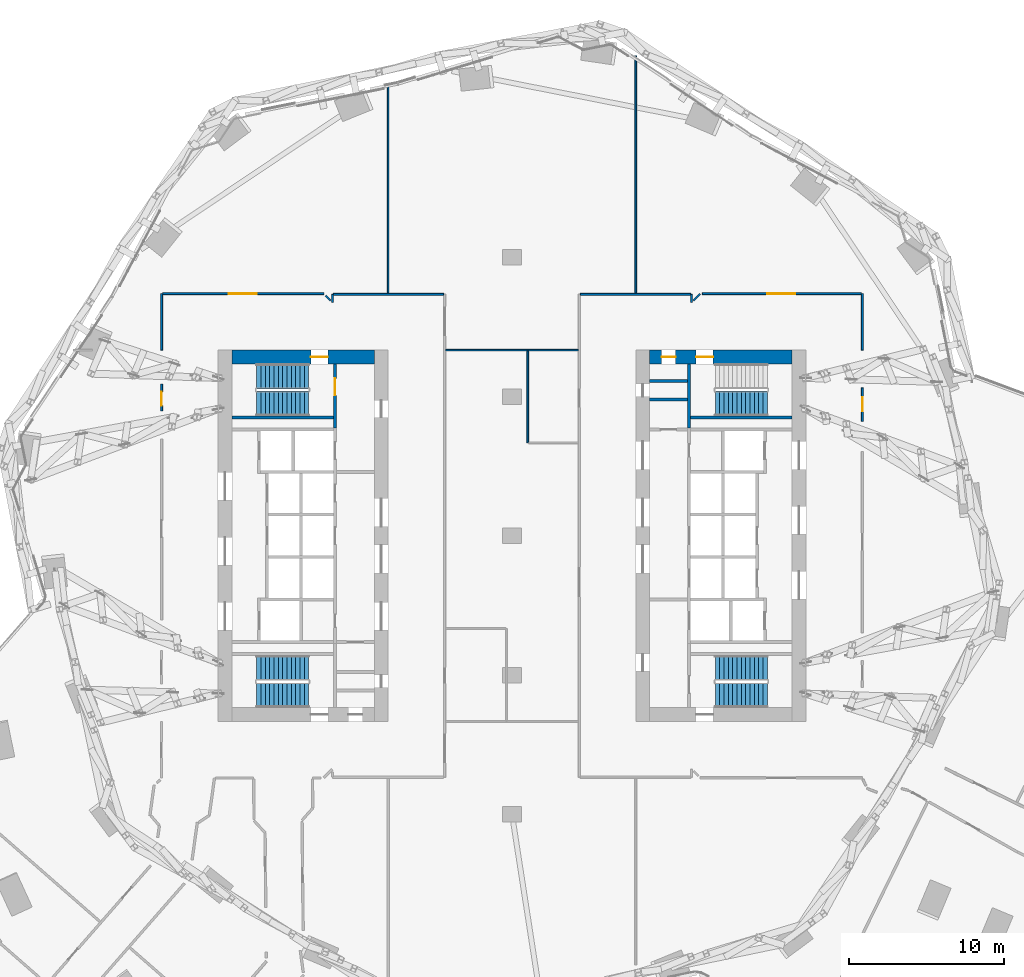
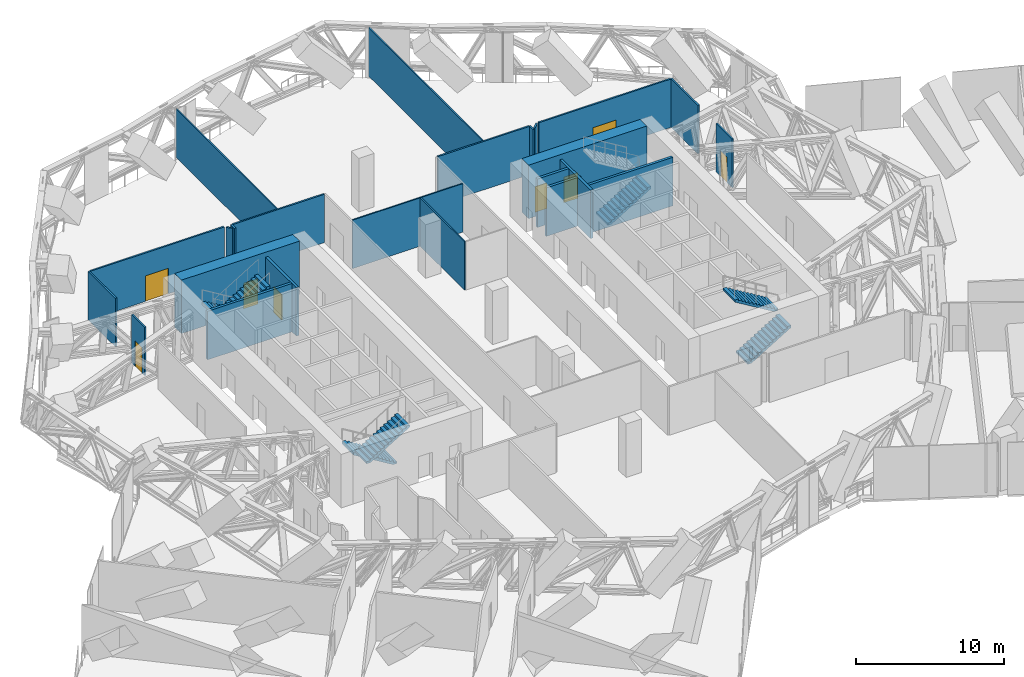
# One storey, part 30 of 34: 24 walls, 8 doors, 7 stair flights, 8 openings, 4 elements without a shape of their own.
"""IFC4 building model written with IfcOpenShell, lengths in metres."""

from ifc_helpers import new_model, si_unit, direction, frame, frame_2d, origin, place, context, subcontext, project, spatial, polyline, rectangle, outline, extrude, material, layer, layer_set, type_object, element, fill, aggregate, save


model = new_model("IFC4")

# Units and contexts
model_context = context("Model", 3, precision=1e-05, world=origin(), true_north=direction((0.0, 1.0)))
body_context = subcontext(model_context, "Body", "Model", "MODEL_VIEW")
ifc_project = project(units=[si_unit("LENGTHUNIT", "METRE"), si_unit("AREAUNIT", "SQUARE_METRE"), si_unit("VOLUMEUNIT", "CUBIC_METRE"), si_unit("PLANEANGLEUNIT", "RADIAN"), si_unit("MASSUNIT", "GRAM", prefix="KILO")], contexts=[model_context])

# Site, building, storey
site_placement = place(None, origin())
site = spatial("IfcSite", under=ifc_project, at=site_placement, CompositionType="ELEMENT")
building_placement = place(site_placement, origin())
building = spatial("IfcBuilding", under=site, at=building_placement, Name="Orlundy Tower", CompositionType="ELEMENT")
storey_placement = place(building_placement, frame((0.0, 0.0, 76.300048828125)))
storey = spatial("IfcBuildingStorey", under=building, at=storey_placement, Name="L18", CompositionType="ELEMENT", Elevation=76.300048828125)

# Wall, opening, door
ifc_material_1 = material(Name="Concrete C80/95", Category="concrete")
ifc_layer_1 = layer(ifc_material_1, 0.89990234375)
ifc_layer_set_1 = layer_set([ifc_layer_1], Name="CORE WALL 900 C80/95")
wall_type_1 = type_object("IfcWallType", Name="CORE WALL 900 C80/95", PredefinedType="SHEAR", material=ifc_layer_set_1)
wall_1_placement = place(storey_placement, frame((-18.10009765625, 11.550048828125, 0.0), z_axis=(0.0, 0.0, 1.0), x_axis=(1.0, 0.0, 0.0)))
wall_1 = element("IfcWall", 1, at=wall_1_placement, inside=storey, type_object=wall_type_1, Name="Core wall W-N L18", PredefinedType="SHEAR", context=body_context, shape_type="SweptSolid", body=[
    extrude(rectangle(XDim=9.2001953125, YDim=0.89990234375, at=frame_2d((4.60009765625, 0.0))), origin(), (0.0, 0.0, 1.0), 4.39990234375),
])
opening_1_placement = place(wall_1_placement, frame((5.10009765625, 0.0, 0.0)))
opening_1 = element("IfcOpeningElement", 2, at=opening_1_placement, cuts=wall_1, Name="Opening 15016", PredefinedType="OPENING", context=body_context, shape_type="SweptSolid", body=[
    extrude(rectangle(XDim=1.10009765625, YDim=2.10009765625, at=frame_2d((0.550048828125, 1.050048828125))), frame((0.0, 0.4599609375, 0.0), z_axis=(0.0, -1.0, 0.0), x_axis=(1.0, 0.0, 0.0)), (0.0, 0.0, 1.0), 0.919921875),
])
ifc_material_2 = material(Name="Steel door set", Category="steel")
door_type_1 = type_object("IfcDoorType", Name="Stair Door 1100x2100", OperationType="SINGLE_SWING_LEFT", PredefinedType="DOOR", material=ifc_material_2)
door_1_placement = place(opening_1_placement, origin())
door_1 = element("IfcDoor", 3, at=door_1_placement, inside=storey, type_object=door_type_1, Name="Stair door 15016", OperationType="SINGLE_SWING_RIGHT", OverallHeight=2.10009765625, OverallWidth=1.10009765625, PredefinedType="DOOR", context=body_context, shape_type="SweptSolid", body=[
    extrude(rectangle(XDim=1.10009765625, YDim=2.10009765625, at=frame_2d((0.550048828125, 1.050048828125))), frame((0.0, 0.02490234375, 0.0), z_axis=(0.0, -1.0, 0.0), x_axis=(1.0, 0.0, 0.0)), (0.0, 0.0, 1.0), 0.050048828125),
])
fill(opening_1, door_1)

# Wall, openings, doors
wall_2_placement = place(storey_placement, frame((8.89990234375, 11.550048828125, 0.0), z_axis=(0.0, 0.0, 1.0), x_axis=(1.0, 0.0, 0.0)))
wall_2 = element("IfcWall", 4, at=wall_2_placement, inside=storey, type_object=wall_type_1, Name="Core wall E-N L18", PredefinedType="SHEAR", context=body_context, shape_type="SweptSolid", body=[
    extrude(rectangle(XDim=9.2001953125, YDim=0.89990234375, at=frame_2d((4.60009765625, 0.0))), origin(), (0.0, 0.0, 1.0), 4.39990234375),
])
opening_2_placement = place(wall_2_placement, frame((3.0, 0.0, 0.0)))
opening_2 = element("IfcOpeningElement", 5, at=opening_2_placement, cuts=wall_2, Name="Opening 15066", PredefinedType="OPENING", context=body_context, shape_type="SweptSolid", body=[
    extrude(rectangle(XDim=1.10009765625, YDim=2.10009765625, at=frame_2d((0.550048828125, 1.050048828125))), frame((0.0, 0.4599609375, 0.0), z_axis=(0.0, -1.0, 0.0), x_axis=(1.0, 0.0, 0.0)), (0.0, 0.0, 1.0), 0.919921875),
])
opening_3_placement = place(wall_2_placement, frame((0.77001953125, 0.0, 0.0)))
opening_3 = element("IfcOpeningElement", 6, at=opening_3_placement, cuts=wall_2, Name="Opening 15068", PredefinedType="OPENING", context=body_context, shape_type="SweptSolid", body=[
    extrude(rectangle(XDim=0.89990234375, YDim=2.10009765625, at=frame_2d((0.449951171875, 1.050048828125))), frame((0.0, 0.4599609375, 0.0), z_axis=(0.0, -1.0, 0.0), x_axis=(1.0, 0.0, 0.0)), (0.0, 0.0, 1.0), 0.919921875),
])
ifc_material_3 = material(Name="Timber door set", Category="wood")
door_type_2 = type_object("IfcDoorType", Name="Room Door 900x2100", OperationType="SINGLE_SWING_LEFT", PredefinedType="DOOR", material=ifc_material_3)
door_2_placement = place(opening_3_placement, origin())
door_2 = element("IfcDoor", 7, at=door_2_placement, inside=storey, type_object=door_type_2, Name="Store door 15068", OperationType="SINGLE_SWING_LEFT", OverallHeight=2.10009765625, OverallWidth=0.89990234375, PredefinedType="DOOR", context=body_context, shape_type="SweptSolid", body=[
    extrude(rectangle(XDim=0.89990234375, YDim=2.10009765625, at=frame_2d((0.449951171875, 1.050048828125))), frame((0.0, 0.02490234375, 0.0), z_axis=(0.0, -1.0, 0.0), x_axis=(1.0, 0.0, 0.0)), (0.0, 0.0, 1.0), 0.050048828125),
])
fill(opening_3, door_2)
door_3_placement = place(opening_2_placement, origin())
door_3 = element("IfcDoor", 8, at=door_3_placement, inside=storey, type_object=door_type_1, Name="Stair door 15066", OperationType="SINGLE_SWING_LEFT", OverallHeight=2.10009765625, OverallWidth=1.10009765625, PredefinedType="DOOR", context=body_context, shape_type="SweptSolid", body=[
    extrude(rectangle(XDim=1.10009765625, YDim=2.10009765625, at=frame_2d((0.550048828125, 1.050048828125))), frame((0.0, 0.02490234375, 0.0), z_axis=(0.0, -1.0, 0.0), x_axis=(1.0, 0.0, 0.0)), (0.0, 0.0, 1.0), 0.050048828125),
])
fill(opening_2, door_3)

# Walls
ifc_material_4 = material(Name="Gypsum board partition")
ifc_layer_2 = layer(ifc_material_4, 0.10009765625)
ifc_layer_set_2 = layer_set([ifc_layer_2], Name="Floor partition 100")
wall_type_2 = type_object("IfcWallType", Name="Floor partition 100", PredefinedType="PARTITIONING", material=ifc_layer_set_2)
wall_3_placement = place(storey_placement, frame((-4.287109375, 12.0, 0.0), z_axis=(0.0, 0.0, 1.0), x_axis=(1.0, 0.0, 0.0)))
element("IfcWall", 9, at=wall_3_placement, inside=storey, type_object=wall_type_2, Name="wall-int-L18-047", PredefinedType="PARTITIONING", context=body_context, shape_type="SweptSolid", body=[
    extrude(rectangle(XDim=8.57421875, YDim=0.10009765625, at=frame_2d((4.287109375, 0.0))), origin(), (0.0, 0.0, 1.0), 3.97998046875),
])
wall_4_placement = place(storey_placement, frame((8.0, 15.6640625, 0.0), z_axis=(0.0, 0.0, 1.0), x_axis=(0.0, 1.0, 0.0)))
element("IfcWall", 10, at=wall_4_placement, inside=storey, type_object=wall_type_2, Name="wall-int-L18-088", PredefinedType="PARTITIONING", context=body_context, shape_type="SweptSolid", body=[
    extrude(rectangle(XDim=15.35302734375, YDim=0.10009765625, at=frame_2d((7.676513671875, 0.0))), origin(), (0.0, 0.0, 1.0), 3.97998046875),
])
wall_5_placement = place(storey_placement, frame((1.01806640625, 6.0, 0.0), z_axis=(0.0, 0.0, 1.0), x_axis=(0.0, 1.0, 0.0)))
element("IfcWall", 11, at=wall_5_placement, inside=storey, type_object=wall_type_2, Name="wall-int-L18-090", PredefinedType="PARTITIONING", context=body_context, shape_type="SweptSolid", body=[
    extrude(rectangle(XDim=5.949951171875, YDim=0.10009765625, at=frame_2d((2.97509765625, 0.0))), origin(), (0.0, 0.0, 1.0), 3.97998046875),
])
wall_6_placement = place(storey_placement, frame((-8.0, 15.6640625, 0.0), z_axis=(0.0, 0.0, 1.0), x_axis=(0.0, 1.0, 0.0)))
element("IfcWall", 12, at=wall_6_placement, inside=storey, type_object=wall_type_2, Name="wall-int-L18-094", PredefinedType="PARTITIONING", context=body_context, shape_type="SweptSolid", body=[
    extrude(rectangle(XDim=13.583984375, YDim=0.10009765625, at=frame_2d((6.7919921875, 0.0))), origin(), (0.0, 0.0, 1.0), 3.97998046875),
])
ifc_material_5 = material(Name="Gypsum board partition, double layer")
ifc_layer_3 = layer(ifc_material_5, 0.125)
ifc_layer_set_3 = layer_set([ifc_layer_3], Name="Floor partition 125")
wall_type_3 = type_object("IfcWallType", Name="Floor partition 125", PredefinedType="PARTITIONING", material=ifc_layer_set_3)
wall_7_placement = place(storey_placement, frame((-12.0458984375, 15.52392578125, 0.0), z_axis=(0.0, 0.0, 1.0), x_axis=(0.707106781187, -0.707106781187, 0.0)))
element("IfcWall", 13, at=wall_7_placement, inside=storey, type_object=wall_type_3, Name="wall-int-L18-012", PredefinedType="PARTITIONING", context=body_context, shape_type="SweptSolid", body=[
    extrude(rectangle(XDim=0.449462890625, YDim=0.125, at=frame_2d((0.224609375, 0.0))), origin(), (0.0, 0.0, 1.0), 3.97998046875),
])
for number, where, z_axis, x_axis, name in (
    (14, (-11.537109375, 15.60107421875, 0.0), (0.0, 0.0, 1.0), (1.0, 0.0, 0.0), "wall-int-L18-048"),
    (15, (4.412109375, 15.60107421875, 0.0), (0.0, 0.0, 1.0), (1.0, 0.0, 0.0), "wall-int-L18-049"),
):
    element("IfcWall", number, at=place(storey_placement, frame(where, z_axis=z_axis, x_axis=x_axis)), inside=storey, type_object=wall_type_3, Name=name, PredefinedType="PARTITIONING", context=body_context, shape_type="SweptSolid", body=[
        extrude(rectangle(XDim=7.125, YDim=0.125, at=frame_2d((3.5625, 0.0))), origin(), (0.0, 0.0, 1.0), 3.97998046875),
    ])

# Wall, opening, door
wall_8_placement = place(storey_placement, frame((-22.5869140625, 15.65087890625, 0.0), z_axis=(0.0, 0.0, 1.0), x_axis=(1.0, 0.0, 0.0)))
wall_8 = element("IfcWall", 16, at=wall_8_placement, inside=storey, type_object=wall_type_3, Name="wall-int-L18-050", PredefinedType="PARTITIONING", context=body_context, shape_type="SweptSolid", body=[
    extrude(rectangle(XDim=10.427001953125, YDim=0.125, at=frame_2d((5.21337890625, 0.0))), origin(), (0.0, 0.0, 1.0), 3.97998046875),
])
opening_4_placement = place(wall_8_placement, frame((4.28759765625, 0.0, 0.0)))
opening_4 = element("IfcOpeningElement", 17, at=opening_4_placement, cuts=wall_8, Name="Opening 15131", PredefinedType="OPENING", context=body_context, shape_type="SweptSolid", body=[
    extrude(rectangle(XDim=1.800048828125, YDim=2.10009765625, at=frame_2d((0.89990234375, 1.050048828125))), frame((0.0, 0.072509765625, 0.0), z_axis=(0.0, -1.0, 0.0), x_axis=(1.0, 0.0, 0.0)), (0.0, 0.0, 1.0), 0.14501953125),
])
ifc_material_6 = material(Name="Timber door leaf", Category="wood")
door_type_3 = type_object("IfcDoorType", Name="Floor door double 1800 FD30S", OperationType="NOTDEFINED", PredefinedType="DOOR", material=ifc_material_6)
door_4_placement = place(opening_4_placement, origin())
door_4 = element("IfcDoor", 18, at=door_4_placement, inside=storey, type_object=door_type_3, Name="Door 15131", OperationType="DOUBLE_DOOR_SINGLE_SWING", OverallHeight=2.10009765625, OverallWidth=1.800048828125, PredefinedType="DOOR", context=body_context, shape_type="SweptSolid", body=[
    extrude(rectangle(XDim=1.800048828125, YDim=2.10009765625, at=frame_2d((0.89990234375, 1.050048828125))), frame((0.0, 0.02490234375, 0.0), z_axis=(0.0, -1.0, 0.0), x_axis=(1.0, 0.0, 0.0)), (0.0, 0.0, 1.0), 0.050048828125),
])
fill(opening_4, door_4)

wall_9_placement = place(storey_placement, frame((12.31103515625, 15.65087890625, 0.0), z_axis=(0.0, 0.0, 1.0), x_axis=(1.0, 0.0, 0.0)))
wall_9 = element("IfcWall", 19, at=wall_9_placement, inside=storey, type_object=wall_type_3, Name="wall-int-L18-051", PredefinedType="PARTITIONING", context=body_context, shape_type="SweptSolid", body=[
    extrude(rectangle(XDim=10.27587890625, YDim=0.125, at=frame_2d((5.137939453125, 0.0))), origin(), (0.0, 0.0, 1.0), 3.97998046875),
])
opening_5_placement = place(wall_9_placement, frame((4.19921875, 0.0, 0.0)))
opening_5 = element("IfcOpeningElement", 20, at=opening_5_placement, cuts=wall_9, Name="Opening 15129", PredefinedType="OPENING", context=body_context, shape_type="SweptSolid", body=[
    extrude(rectangle(XDim=1.800048828125, YDim=2.10009765625, at=frame_2d((0.89990234375, 1.050048828125))), frame((0.0, 0.072509765625, 0.0), z_axis=(0.0, -1.0, 0.0), x_axis=(1.0, 0.0, 0.0)), (0.0, 0.0, 1.0), 0.14501953125),
])
door_5_placement = place(opening_5_placement, origin())
door_5 = element("IfcDoor", 21, at=door_5_placement, inside=storey, type_object=door_type_3, Name="Door 15129", OperationType="DOUBLE_DOOR_SINGLE_SWING", OverallHeight=2.10009765625, OverallWidth=1.800048828125, PredefinedType="DOOR", context=body_context, shape_type="SweptSolid", body=[
    extrude(rectangle(XDim=1.800048828125, YDim=2.10009765625, at=frame_2d((0.89990234375, 1.050048828125))), frame((0.0, 0.02490234375, 0.0), z_axis=(0.0, -1.0, 0.0), x_axis=(1.0, 0.0, 0.0)), (0.0, 0.0, 1.0), 0.050048828125),
])
fill(opening_5, door_5)

# Walls
wall_10_placement = place(storey_placement, frame((11.72900390625, 15.20703125, 0.0), z_axis=(0.0, 0.0, 1.0), x_axis=(0.707106781187, 0.707106781187, 0.0)))
element("IfcWall", 22, at=wall_10_placement, inside=storey, type_object=wall_type_3, Name="wall-int-L18-059", PredefinedType="PARTITIONING", context=body_context, shape_type="SweptSolid", body=[
    extrude(rectangle(XDim=0.599609375, YDim=0.125, at=frame_2d((0.2998046875, 0.0))), origin(), (0.0, 0.0, 1.0), 3.97998046875),
])
wall_11_placement = place(storey_placement, frame((-11.60107421875, 15.092041015625, 0.0), z_axis=(0.0, 0.0, 1.0), x_axis=(0.00192214926, 0.999998152669, 0.0)))
element("IfcWall", 23, at=wall_11_placement, inside=storey, type_object=wall_type_3, Name="wall-int-L18-080", PredefinedType="PARTITIONING", context=body_context, shape_type="SweptSolid", body=[
    extrude(rectangle(XDim=0.508056640625, YDim=0.125, at=frame_2d((0.25390625, 0.0))), origin(), (0.0, 0.0, 1.0), 3.97998046875),
])

# Wall, opening, door
wall_12_placement = place(storey_placement, frame((22.65087890625, 9.56396484375, 0.0), z_axis=(0.0, 0.0, 1.0), x_axis=(0.0, -1.0, 0.0)))
wall_12 = element("IfcWall", 24, at=wall_12_placement, inside=storey, type_object=wall_type_3, Name="wall-int-L18-083", PredefinedType="PARTITIONING", context=body_context, shape_type="SweptSolid", body=[
    extrude(rectangle(XDim=2.1630859375, YDim=0.125, at=frame_2d((1.08154296875, 0.0))), origin(), (0.0, 0.0, 1.0), 3.97998046875),
])
opening_6_placement = place(wall_12_placement, frame((0.60009765625, 0.0, 0.0)))
opening_6 = element("IfcOpeningElement", 25, at=opening_6_placement, cuts=wall_12, Name="Opening 15128", PredefinedType="OPENING", context=body_context, shape_type="SweptSolid", body=[
    extrude(rectangle(XDim=0.89990234375, YDim=2.10009765625, at=frame_2d((0.449951171875, 1.050048828125))), frame((0.0, 0.072509765625, 0.0), z_axis=(0.0, -1.0, 0.0), x_axis=(1.0, 0.0, 0.0)), (0.0, 0.0, 1.0), 0.14501953125),
])
ifc_material_7 = material(Name="Timber door leaf", Category="wood")
door_type_4 = type_object("IfcDoorType", Name="Floor door single 900 FD30S", OperationType="NOTDEFINED", PredefinedType="DOOR", material=ifc_material_7)
door_6_placement = place(opening_6_placement, origin())
door_6 = element("IfcDoor", 26, at=door_6_placement, inside=storey, type_object=door_type_4, Name="Door 15128", OperationType="SINGLE_SWING_LEFT", OverallHeight=2.10009765625, OverallWidth=0.89990234375, PredefinedType="DOOR", context=body_context, shape_type="SweptSolid", body=[
    extrude(rectangle(XDim=0.89990234375, YDim=2.10009765625, at=frame_2d((0.449951171875, 1.050048828125))), frame((0.0, 0.02490234375, 0.0), z_axis=(0.0, -1.0, 0.0), x_axis=(1.0, 0.0, 0.0)), (0.0, 0.0, 1.0), 0.050048828125),
])
fill(opening_6, door_6)

# Walls
wall_13_placement = place(storey_placement, frame((22.65087890625, 12.0, 0.0), z_axis=(0.0, 0.0, 1.0), x_axis=(0.0, 1.0, 0.0)))
element("IfcWall", 27, at=wall_13_placement, inside=storey, type_object=wall_type_3, Name="wall-int-L18-084", PredefinedType="PARTITIONING", context=body_context, shape_type="SweptSolid", body=[
    extrude(rectangle(XDim=3.64990234375, YDim=0.125, at=frame_2d((1.824951171875, 0.0))), origin(), (0.0, 0.0, 1.0), 3.97998046875),
])
wall_14_placement = place(storey_placement, frame((11.60107421875, 15.092041015625, 0.0), z_axis=(0.0, 0.0, 1.0), x_axis=(0.0, 1.0, 0.0)))
element("IfcWall", 28, at=wall_14_placement, inside=storey, type_object=wall_type_3, Name="wall-int-L18-086", PredefinedType="PARTITIONING", context=body_context, shape_type="SweptSolid", body=[
    extrude(rectangle(XDim=0.508056640625, YDim=0.125, at=frame_2d((0.25390625, 0.0))), origin(), (0.0, 0.0, 1.0), 3.97998046875),
])

# Wall, opening, door
wall_15_placement = place(storey_placement, frame((-22.64990234375, 8.06591796875, 0.0), z_axis=(0.0, 0.0, 1.0), x_axis=(0.0, 1.0, 0.0)))
wall_15 = element("IfcWall", 29, at=wall_15_placement, inside=storey, type_object=wall_type_3, Name="wall-int-L18-098", PredefinedType="PARTITIONING", context=body_context, shape_type="SweptSolid", body=[
    extrude(rectangle(XDim=1.732177734375, YDim=0.125, at=frame_2d((0.8662109375, 0.0))), origin(), (0.0, 0.0, 1.0), 3.97998046875),
])
opening_7_placement = place(wall_15_placement, frame((0.35009765625, 0.0, 0.0)))
opening_7 = element("IfcOpeningElement", 30, at=opening_7_placement, cuts=wall_15, Name="Opening 15132", PredefinedType="OPENING", context=body_context, shape_type="SweptSolid", body=[
    extrude(rectangle(XDim=0.89990234375, YDim=2.10009765625, at=frame_2d((0.449951171875, 1.050048828125))), frame((0.0, 0.072509765625, 0.0), z_axis=(0.0, -1.0, 0.0), x_axis=(1.0, 0.0, 0.0)), (0.0, 0.0, 1.0), 0.14501953125),
])
door_7_placement = place(opening_7_placement, origin())
door_7 = element("IfcDoor", 31, at=door_7_placement, inside=storey, type_object=door_type_4, Name="Door 15132", OperationType="SINGLE_SWING_LEFT", OverallHeight=2.10009765625, OverallWidth=0.89990234375, PredefinedType="DOOR", context=body_context, shape_type="SweptSolid", body=[
    extrude(rectangle(XDim=0.89990234375, YDim=2.10009765625, at=frame_2d((0.449951171875, 1.050048828125))), frame((0.0, 0.02490234375, 0.0), z_axis=(0.0, -1.0, 0.0), x_axis=(1.0, 0.0, 0.0)), (0.0, 0.0, 1.0), 0.050048828125),
])
fill(opening_7, door_7)

# Wall
wall_16_placement = place(storey_placement, frame((-22.64990234375, 12.0, 0.0), z_axis=(0.0, 0.0, 1.0), x_axis=(0.0, 1.0, 0.0)))
element("IfcWall", 32, at=wall_16_placement, inside=storey, type_object=wall_type_3, Name="wall-int-L18-099", PredefinedType="PARTITIONING", context=body_context, shape_type="SweptSolid", body=[
    extrude(rectangle(XDim=3.65087890625, YDim=0.125, at=frame_2d((1.825439453125, 0.0))), origin(), (0.0, 0.0, 1.0), 3.97998046875),
])

# Wall, opening, door
ifc_material_8 = material(Name="Concrete C40/50", Category="concrete")
ifc_layer_4 = layer(ifc_material_8, 0.199951171875)
ifc_layer_set_4 = layer_set([ifc_layer_4], Name="Load-bearing Shaft Wall 200")
wall_type_4 = type_object("IfcWallType", Name="Load-bearing Shaft Wall 200", PredefinedType="SOLIDWALL", material=ifc_layer_set_4)
wall_17_placement = place(storey_placement, frame((-11.43994140625, 6.97509765625, 0.0), z_axis=(0.0, 0.0, 1.0), x_axis=(0.0, 1.0, 0.0)))
wall_17 = element("IfcWall", 33, at=wall_17_placement, inside=storey, type_object=wall_type_4, Name="Shaft wall W15-stair-end-n", PredefinedType="SOLIDWALL", context=body_context, shape_type="SweptSolid", body=[
    extrude(rectangle(XDim=4.125, YDim=0.199951171875, at=frame_2d((2.0625, 0.0))), origin(), (0.0, 0.0, 1.0), 3.989990234375),
])
opening_8_placement = place(wall_17_placement, frame((2.10009765625, 0.0, 0.0)))
opening_8 = element("IfcOpeningElement", 34, at=opening_8_placement, cuts=wall_17, Name="Opening 15018", PredefinedType="OPENING", context=body_context, shape_type="SweptSolid", body=[
    extrude(rectangle(XDim=1.10009765625, YDim=2.10009765625, at=frame_2d((0.550048828125, 1.050048828125))), frame((0.0, 0.110107421875, 0.0), z_axis=(0.0, -1.0, 0.0), x_axis=(1.0, 0.0, 0.0)), (0.0, 0.0, 1.0), 0.22021484375),
])
ifc_material_9 = material(Name="Steel door set", Category="steel")
door_type_5 = type_object("IfcDoorType", Name="Fire-fighting Lobby Door 1100x2100", OperationType="SINGLE_SWING_LEFT", PredefinedType="DOOR", material=ifc_material_9)
door_8_placement = place(opening_8_placement, origin())
door_8 = element("IfcDoor", 35, at=door_8_placement, inside=storey, type_object=door_type_5, Name="Fire-fighting lobby to stair door 15018", OperationType="SINGLE_SWING_RIGHT", OverallHeight=2.10009765625, OverallWidth=1.10009765625, PredefinedType="DOOR", context=body_context, shape_type="SweptSolid", body=[
    extrude(rectangle(XDim=1.10009765625, YDim=2.10009765625, at=frame_2d((0.550048828125, 1.050048828125))), frame((0.0, 0.02490234375, 0.0), z_axis=(0.0, -1.0, 0.0), x_axis=(1.0, 0.0, 0.0)), (0.0, 0.0, 1.0), 0.050048828125),
])
fill(opening_8, door_8)

# Walls
wall_18_placement = place(storey_placement, frame((-11.5400390625, 7.64990234375, 0.0), z_axis=(0.0, 0.0, 1.0), x_axis=(-1.0, 0.0, 0.0)))
element("IfcWall", 36, at=wall_18_placement, inside=storey, type_object=wall_type_4, Name="Shaft wall W15-stair-side-n", PredefinedType="SOLIDWALL", context=body_context, shape_type="SweptSolid", body=[
    extrude(rectangle(XDim=6.56005859375, YDim=0.199951171875, at=frame_2d((3.280029296875, 0.0))), origin(), (0.0, 0.0, 1.0), 3.989990234375),
])
wall_19_placement = place(storey_placement, frame((11.43994140625, 11.10009765625, 0.0), z_axis=(0.0, 0.0, 1.0), x_axis=(0.0, -1.0, 0.0)))
element("IfcWall", 37, at=wall_19_placement, inside=storey, type_object=wall_type_4, Name="Shaft wall E15-stair-end-s", PredefinedType="SOLIDWALL", context=body_context, shape_type="SweptSolid", body=[
    extrude(rectangle(XDim=4.125, YDim=0.199951171875, at=frame_2d((2.0625, 0.0))), origin(), (0.0, 0.0, 1.0), 3.989990234375),
])
wall_20_placement = place(storey_placement, frame((11.5400390625, 7.64990234375, 0.0), z_axis=(0.0, 0.0, 1.0), x_axis=(1.0, 0.0, 0.0)))
element("IfcWall", 38, at=wall_20_placement, inside=storey, type_object=wall_type_4, Name="Shaft wall E15-stair-side-s", PredefinedType="SOLIDWALL", context=body_context, shape_type="SweptSolid", body=[
    extrude(rectangle(XDim=6.56005859375, YDim=0.199951171875, at=frame_2d((3.280029296875, 0.0))), origin(), (0.0, 0.0, 1.0), 3.989990234375),
])
ifc_material_10 = material(Name="Gypsum board partition on steel studs", Category="steel")
ifc_layer_5 = layer(ifc_material_10, 0.199951171875)
ifc_layer_set_5 = layer_set([ifc_layer_5], Name="Partition 200")
wall_type_5 = type_object("IfcWallType", Name="Partition 200", PredefinedType="PARTITIONING", material=ifc_layer_set_5)
for number, where, z_axis, x_axis, name in (
    (39, (8.89990234375, 10.0, 0.0), (0.0, 0.0, 1.0), (1.0, 0.0, 0.0), "Partition wall E15-room-s0"),
    (40, (8.89990234375, 8.800048828125, 0.0), (0.0, 0.0, 1.0), (1.0, 0.0, 0.0), "Partition wall E15-room-s1"),
):
    element("IfcWall", number, at=place(storey_placement, frame(where, z_axis=z_axis, x_axis=x_axis)), inside=storey, type_object=wall_type_5, Name=name, PredefinedType="PARTITIONING", context=body_context, shape_type="SweptSolid", body=[
        extrude(rectangle(XDim=2.440185546875, YDim=0.199951171875, at=frame_2d((1.22021484375, 0.0))), origin(), (0.0, 0.0, 1.0), 3.989990234375),
    ])

# Stair, stair flights
ifc_material_11 = material(Name="Concrete C50/60", Category="concrete")
stair_type = type_object("IfcStairType", Name="Exit Stair 26 risers", PredefinedType="HALF_TURN_STAIR", material=ifc_material_11)
stair_1_placement = place(storey_placement, origin())
stair_1 = element("IfcStair", 41, at=stair_1_placement, inside=storey, type_object=stair_type, Name="L18 Exit Stair ST-W1", PredefinedType="HALF_TURN_STAIR")
ifc_material_12 = material(Name="Concrete C50/60", Category="concrete")
stair_flight_type = type_object("IfcStairFlightType", Name="Stair Flight 13 risers", PredefinedType="STRAIGHT", material=ifc_material_12)
stair_flight_1_placement = place(storey_placement, frame((-13.139892578125, 10.300048828125, 0.0), z_axis=(0.0, 0.0, 1.0), x_axis=(-1.0, 0.0, 0.0)))
stair_flight_1 = element("IfcStairFlight", 42, at=stair_flight_1_placement, type_object=stair_flight_type, Name="ST-W1 flight 1", NumberOfRisers=13, NumberOfTreads=12, PredefinedType="STRAIGHT", RiserHeight=0.169230769, TreadLength=0.28, context=body_context, shape_type="SweptSolid", body=[
    extrude(outline(polyline([(0.0, 0.0), (0.0, 0.169189453125), (0.280029296875, 0.169189453125), (0.280029296875, 0.33837890625), (0.56005859375, 0.33837890625), (0.56005859375, 0.5078125), (0.840087890625, 0.5078125), (0.840087890625, 0.677001953125), (1.1201171875, 0.677001953125), (1.1201171875, 0.84619140625), (1.39990234375, 0.84619140625), (1.39990234375, 1.015380859375), (1.679931640625, 1.015380859375), (1.679931640625, 1.1845703125), (1.9599609375, 1.1845703125), (1.9599609375, 1.353759765625), (2.239990234375, 1.353759765625), (2.239990234375, 1.523193359375), (2.52001953125, 1.523193359375), (2.52001953125, 1.6923828125), (2.800048828125, 1.6923828125), (2.800048828125, 1.861572265625), (3.080078125, 1.861572265625), (3.080078125, 2.03076171875), (3.360107421875, 2.03076171875), (3.360107421875, 2.199951171875), (3.360107421875, 1.855712890625), (0.289794921875, 0.0), (0.0, 0.0)])), frame((0.0, 0.800048828125, 0.0), z_axis=(0.0, -1.0, 0.0), x_axis=(1.0, 0.0, 0.0)), (0.0, 0.0, 1.0), 1.60009765625),
])
stair_flight_2_placement = place(storey_placement, frame((-16.5, 8.550048828125, 2.199951171875), z_axis=(0.0, 0.0, 1.0), x_axis=(1.0, 0.0, 0.0)))
stair_flight_2 = element("IfcStairFlight", 43, at=stair_flight_2_placement, type_object=stair_flight_type, Name="ST-W1 flight 2", NumberOfRisers=13, NumberOfTreads=12, PredefinedType="STRAIGHT", RiserHeight=0.169230769, TreadLength=0.28, context=body_context, shape_type="SweptSolid", body=[
    extrude(outline(polyline([(0.0, 0.0), (0.0, 0.169189453125), (0.280029296875, 0.169189453125), (0.280029296875, 0.33837890625), (0.56005859375, 0.33837890625), (0.56005859375, 0.5078125), (0.840087890625, 0.5078125), (0.840087890625, 0.677001953125), (1.1201171875, 0.677001953125), (1.1201171875, 0.84619140625), (1.39990234375, 0.84619140625), (1.39990234375, 1.015380859375), (1.679931640625, 1.015380859375), (1.679931640625, 1.1845703125), (1.9599609375, 1.1845703125), (1.9599609375, 1.353759765625), (2.239990234375, 1.353759765625), (2.239990234375, 1.523193359375), (2.52001953125, 1.523193359375), (2.52001953125, 1.6923828125), (2.800048828125, 1.6923828125), (2.800048828125, 1.861572265625), (3.080078125, 1.861572265625), (3.080078125, 2.03076171875), (3.360107421875, 2.03076171875), (3.360107421875, 2.199951171875), (3.360107421875, 1.855712890625), (0.289794921875, 0.0), (0.0, 0.0)])), frame((0.0, 0.800048828125, 0.0), z_axis=(0.0, -1.0, 0.0), x_axis=(1.0, 0.0, 0.0)), (0.0, 0.0, 1.0), 1.60009765625),
])
aggregate(stair_1, [stair_flight_1, stair_flight_2])

stair_2_placement = place(storey_placement, origin())
stair_2 = element("IfcStair", 44, at=stair_2_placement, inside=storey, type_object=stair_type, Name="L18 Exit Stair ST-W2", PredefinedType="HALF_TURN_STAIR")
stair_flight_3_placement = place(storey_placement, frame((-13.139892578125, -8.550048828125, 0.0), z_axis=(0.0, 0.0, 1.0), x_axis=(-1.0, 0.0, 0.0)))
stair_flight_3 = element("IfcStairFlight", 45, at=stair_flight_3_placement, type_object=stair_flight_type, Name="ST-W2 flight 1", NumberOfRisers=13, NumberOfTreads=12, PredefinedType="STRAIGHT", RiserHeight=0.169230769, TreadLength=0.28, context=body_context, shape_type="SweptSolid", body=[
    extrude(outline(polyline([(0.0, 0.0), (0.0, 0.169189453125), (0.280029296875, 0.169189453125), (0.280029296875, 0.33837890625), (0.56005859375, 0.33837890625), (0.56005859375, 0.5078125), (0.840087890625, 0.5078125), (0.840087890625, 0.677001953125), (1.1201171875, 0.677001953125), (1.1201171875, 0.84619140625), (1.39990234375, 0.84619140625), (1.39990234375, 1.015380859375), (1.679931640625, 1.015380859375), (1.679931640625, 1.1845703125), (1.9599609375, 1.1845703125), (1.9599609375, 1.353759765625), (2.239990234375, 1.353759765625), (2.239990234375, 1.523193359375), (2.52001953125, 1.523193359375), (2.52001953125, 1.6923828125), (2.800048828125, 1.6923828125), (2.800048828125, 1.861572265625), (3.080078125, 1.861572265625), (3.080078125, 2.03076171875), (3.360107421875, 2.03076171875), (3.360107421875, 2.199951171875), (3.360107421875, 1.855712890625), (0.289794921875, 0.0), (0.0, 0.0)])), frame((0.0, 0.800048828125, 0.0), z_axis=(0.0, -1.0, 0.0), x_axis=(1.0, 0.0, 0.0)), (0.0, 0.0, 1.0), 1.60009765625),
])
stair_flight_4_placement = place(storey_placement, frame((-16.5, -10.300048828125, 2.199951171875), z_axis=(0.0, 0.0, 1.0), x_axis=(1.0, 0.0, 0.0)))
stair_flight_4 = element("IfcStairFlight", 46, at=stair_flight_4_placement, type_object=stair_flight_type, Name="ST-W2 flight 2", NumberOfRisers=13, NumberOfTreads=12, PredefinedType="STRAIGHT", RiserHeight=0.169230769, TreadLength=0.28, context=body_context, shape_type="SweptSolid", body=[
    extrude(outline(polyline([(0.0, 0.0), (0.0, 0.169189453125), (0.280029296875, 0.169189453125), (0.280029296875, 0.33837890625), (0.56005859375, 0.33837890625), (0.56005859375, 0.5078125), (0.840087890625, 0.5078125), (0.840087890625, 0.677001953125), (1.1201171875, 0.677001953125), (1.1201171875, 0.84619140625), (1.39990234375, 0.84619140625), (1.39990234375, 1.015380859375), (1.679931640625, 1.015380859375), (1.679931640625, 1.1845703125), (1.9599609375, 1.1845703125), (1.9599609375, 1.353759765625), (2.239990234375, 1.353759765625), (2.239990234375, 1.523193359375), (2.52001953125, 1.523193359375), (2.52001953125, 1.6923828125), (2.800048828125, 1.6923828125), (2.800048828125, 1.861572265625), (3.080078125, 1.861572265625), (3.080078125, 2.03076171875), (3.360107421875, 2.03076171875), (3.360107421875, 2.199951171875), (3.360107421875, 1.855712890625), (0.289794921875, 0.0), (0.0, 0.0)])), frame((0.0, 0.800048828125, 0.0), z_axis=(0.0, -1.0, 0.0), x_axis=(1.0, 0.0, 0.0)), (0.0, 0.0, 1.0), 1.60009765625),
])
aggregate(stair_2, [stair_flight_3, stair_flight_4])

stair_3_placement = place(storey_placement, origin())
stair_3 = element("IfcStair", 47, at=stair_3_placement, inside=storey, type_object=stair_type, Name="L18 Exit Stair ST-E1", PredefinedType="HALF_TURN_STAIR")
stair_flight_5_placement = place(storey_placement, frame((13.139892578125, -10.300048828125, 0.0), z_axis=(0.0, 0.0, 1.0), x_axis=(1.0, 0.0, 0.0)))
stair_flight_5 = element("IfcStairFlight", 48, at=stair_flight_5_placement, type_object=stair_flight_type, Name="ST-E1 flight 1", NumberOfRisers=13, NumberOfTreads=12, PredefinedType="STRAIGHT", RiserHeight=0.169230769, TreadLength=0.28, context=body_context, shape_type="SweptSolid", body=[
    extrude(outline(polyline([(0.0, 0.0), (0.0, 0.169189453125), (0.280029296875, 0.169189453125), (0.280029296875, 0.33837890625), (0.56005859375, 0.33837890625), (0.56005859375, 0.5078125), (0.840087890625, 0.5078125), (0.840087890625, 0.677001953125), (1.1201171875, 0.677001953125), (1.1201171875, 0.84619140625), (1.39990234375, 0.84619140625), (1.39990234375, 1.015380859375), (1.679931640625, 1.015380859375), (1.679931640625, 1.1845703125), (1.9599609375, 1.1845703125), (1.9599609375, 1.353759765625), (2.239990234375, 1.353759765625), (2.239990234375, 1.523193359375), (2.52001953125, 1.523193359375), (2.52001953125, 1.6923828125), (2.800048828125, 1.6923828125), (2.800048828125, 1.861572265625), (3.080078125, 1.861572265625), (3.080078125, 2.03076171875), (3.360107421875, 2.03076171875), (3.360107421875, 2.199951171875), (3.360107421875, 1.855712890625), (0.289794921875, 0.0), (0.0, 0.0)])), frame((0.0, 0.800048828125, 0.0), z_axis=(0.0, -1.0, 0.0), x_axis=(1.0, 0.0, 0.0)), (0.0, 0.0, 1.0), 1.60009765625),
])
stair_flight_6_placement = place(storey_placement, frame((16.5, -8.550048828125, 2.199951171875), z_axis=(0.0, 0.0, 1.0), x_axis=(-1.0, 0.0, 0.0)))
stair_flight_6 = element("IfcStairFlight", 49, at=stair_flight_6_placement, type_object=stair_flight_type, Name="ST-E1 flight 2", NumberOfRisers=13, NumberOfTreads=12, PredefinedType="STRAIGHT", RiserHeight=0.169230769, TreadLength=0.28, context=body_context, shape_type="SweptSolid", body=[
    extrude(outline(polyline([(0.0, 0.0), (0.0, 0.169189453125), (0.280029296875, 0.169189453125), (0.280029296875, 0.33837890625), (0.56005859375, 0.33837890625), (0.56005859375, 0.5078125), (0.840087890625, 0.5078125), (0.840087890625, 0.677001953125), (1.1201171875, 0.677001953125), (1.1201171875, 0.84619140625), (1.39990234375, 0.84619140625), (1.39990234375, 1.015380859375), (1.679931640625, 1.015380859375), (1.679931640625, 1.1845703125), (1.9599609375, 1.1845703125), (1.9599609375, 1.353759765625), (2.239990234375, 1.353759765625), (2.239990234375, 1.523193359375), (2.52001953125, 1.523193359375), (2.52001953125, 1.6923828125), (2.800048828125, 1.6923828125), (2.800048828125, 1.861572265625), (3.080078125, 1.861572265625), (3.080078125, 2.03076171875), (3.360107421875, 2.03076171875), (3.360107421875, 2.199951171875), (3.360107421875, 1.855712890625), (0.289794921875, 0.0), (0.0, 0.0)])), frame((0.0, 0.800048828125, 0.0), z_axis=(0.0, -1.0, 0.0), x_axis=(1.0, 0.0, 0.0)), (0.0, 0.0, 1.0), 1.60009765625),
])
aggregate(stair_3, [stair_flight_5, stair_flight_6])

# Stair, stair flight
stair_4_placement = place(storey_placement, origin())
stair_4 = element("IfcStair", 50, at=stair_4_placement, inside=storey, type_object=stair_type, Name="L18 Exit Stair ST-E2", PredefinedType="HALF_TURN_STAIR")
stair_flight_7_placement = place(storey_placement, frame((13.139892578125, 8.550048828125, 0.0), z_axis=(0.0, 0.0, 1.0), x_axis=(1.0, 0.0, 0.0)))
stair_flight_7 = element("IfcStairFlight", 51, at=stair_flight_7_placement, type_object=stair_flight_type, Name="ST-E2 flight 1", NumberOfRisers=13, NumberOfTreads=12, PredefinedType="STRAIGHT", RiserHeight=0.169230769, TreadLength=0.28, context=body_context, shape_type="SweptSolid", body=[
    extrude(outline(polyline([(0.0, 0.0), (0.0, 0.169189453125), (0.280029296875, 0.169189453125), (0.280029296875, 0.33837890625), (0.56005859375, 0.33837890625), (0.56005859375, 0.5078125), (0.840087890625, 0.5078125), (0.840087890625, 0.677001953125), (1.1201171875, 0.677001953125), (1.1201171875, 0.84619140625), (1.39990234375, 0.84619140625), (1.39990234375, 1.015380859375), (1.679931640625, 1.015380859375), (1.679931640625, 1.1845703125), (1.9599609375, 1.1845703125), (1.9599609375, 1.353759765625), (2.239990234375, 1.353759765625), (2.239990234375, 1.523193359375), (2.52001953125, 1.523193359375), (2.52001953125, 1.6923828125), (2.800048828125, 1.6923828125), (2.800048828125, 1.861572265625), (3.080078125, 1.861572265625), (3.080078125, 2.03076171875), (3.360107421875, 2.03076171875), (3.360107421875, 2.199951171875), (3.360107421875, 1.855712890625), (0.289794921875, 0.0), (0.0, 0.0)])), frame((0.0, 0.800048828125, 0.0), z_axis=(0.0, -1.0, 0.0), x_axis=(1.0, 0.0, 0.0)), (0.0, 0.0, 1.0), 1.60009765625),
])
aggregate(stair_4, [stair_flight_7])

save(model, "model.ifc")
